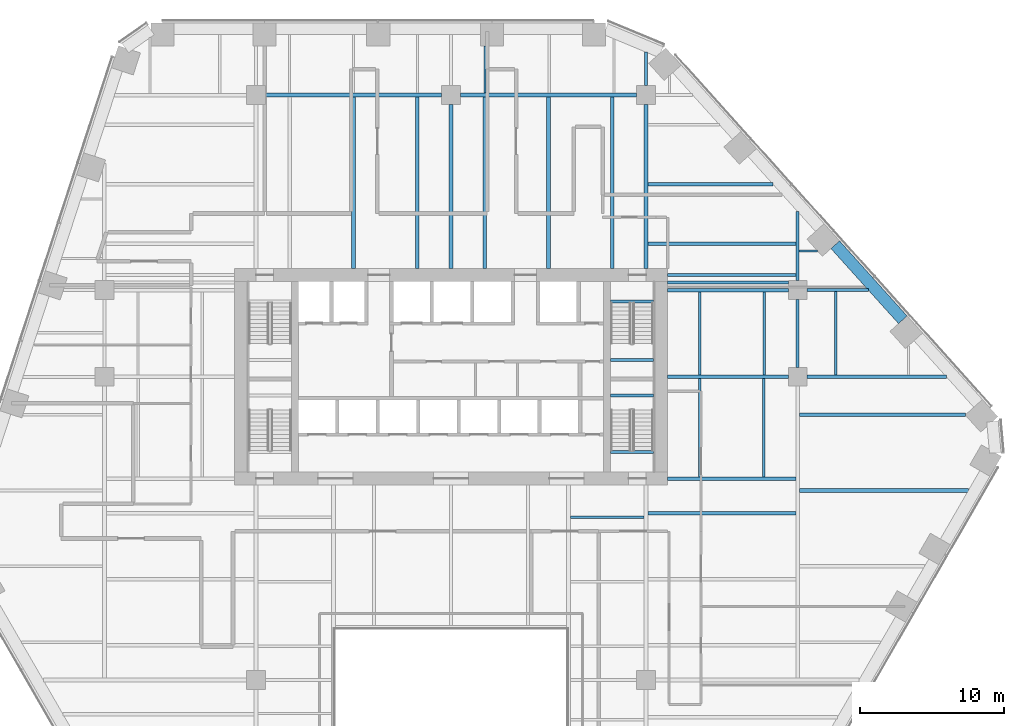
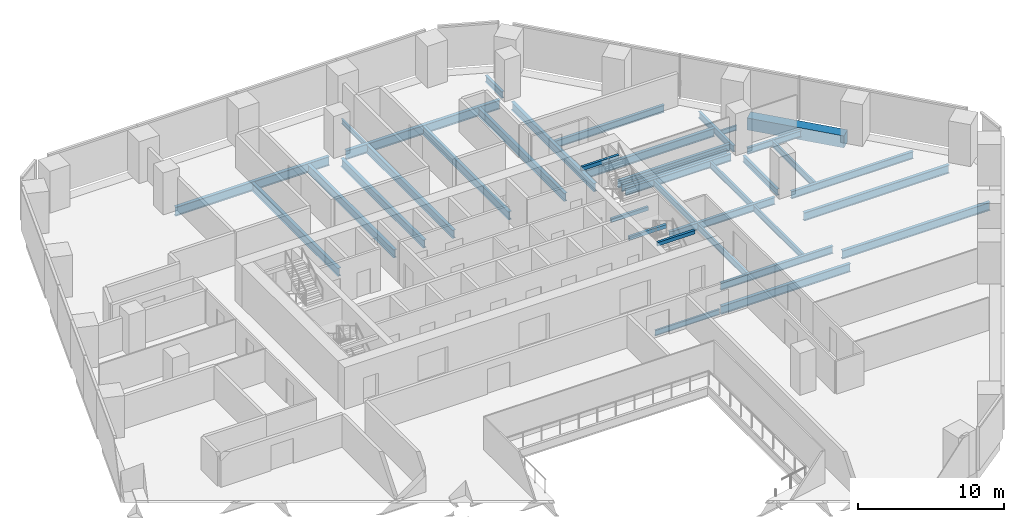
# One storey, part 9 of 21: 37 beams.
"""IFC4 building model written with IfcOpenShell, lengths in metres."""

from ifc_helpers import new_model, si_unit, direction, frame, origin, origin_2d, place, context, subcontext, project, spatial, rectangle, i_section, extrude, material, material_profile, profile_set, type_object, element, save


model = new_model("IFC4")

# Units and contexts
model_context = context("Model", 3, precision=1e-05, world=origin(), true_north=direction((0.0, 1.0)))
body_context = subcontext(model_context, "Body", "Model", "MODEL_VIEW")
ifc_project = project(units=[si_unit("LENGTHUNIT", "METRE"), si_unit("AREAUNIT", "SQUARE_METRE"), si_unit("VOLUMEUNIT", "CUBIC_METRE"), si_unit("PLANEANGLEUNIT", "RADIAN"), si_unit("MASSUNIT", "GRAM", prefix="KILO")], contexts=[model_context])

# Site, building, storey
site_placement = place(None, origin())
site = spatial("IfcSite", under=ifc_project, at=site_placement, CompositionType="ELEMENT")
building_placement = place(site_placement, origin())
building = spatial("IfcBuilding", under=site, at=building_placement, Name="Isthmus Gate Tower", CompositionType="ELEMENT")
storey_placement = place(building_placement, frame((0.0, 0.0, 106.199951171875)))
storey = spatial("IfcBuildingStorey", under=building, at=storey_placement, Name="L25", CompositionType="ELEMENT", Elevation=106.199951171875)

# Beams
ifc_material_1 = material(Name="Concrete f'c 70 MPa", Category="concrete")
ifc_material_profile_1 = material_profile(ifc_material_1, rectangle(XDim=0.800048828125, YDim=1.0, at=origin_2d()), Name="RC 800X1000")
ifc_profile_set_1 = profile_set([ifc_material_profile_1], Name="Concrete f'c 70 MPa")
beam_type_1 = type_object("IfcBeamType", Name="RC SPANDREL 800 X 1000", PredefinedType="SPANDREL", material=ifc_profile_set_1)
beam_1_placement = place(storey_placement, frame((26.597900390625, 16.640380859375, -0.5), z_axis=(0.669128753615, -0.743146493691, 0.0), x_axis=(0.743146493691, 0.669128753615, 0.0)))
element("IfcBeam", 1, at=beam_1_placement, inside=storey, type_object=beam_type_1, Name="str-spandrel-L25-03", PredefinedType="SPANDREL", context=body_context, shape_type="SweptSolid", body=[
    extrude(rectangle(XDim=0.800048828125, YDim=1.0, at=origin_2d()), origin(), (0.0, 0.0, 1.0), 6.9892578125),
])
ifc_material_2 = material(Name="Concrete f'c 40 MPa", Category="concrete")
ifc_material_profile_2 = material_profile(ifc_material_2, rectangle(XDim=0.199951171875, YDim=0.300048828125, at=origin_2d()), Name="STAIR LANDING BEAM RC 200 X 300")
ifc_profile_set_2 = profile_set([ifc_material_profile_2], Name="Concrete f'c 40 MPa")
beam_type_2 = type_object("IfcBeamType", Name="STAIR LANDING BEAM RC 200 X 300", PredefinedType="BEAM", material=ifc_profile_set_2)
for number, where, z_axis, x_axis, name in (
    (2, (11.050048828125, 8.64990234375, 1.47509765625), (1.0, 0.0, 0.0), (0.0, 1.0, 0.0), "L25 ST2 landing beam 1"),
    (3, (11.050048828125, 12.7001953125, 3.35009765625), (1.0, 0.0, 0.0), (0.0, 1.0, 0.0), "L25 ST2 floor-edge seat beam"),
    (4, (11.050048828125, 6.199951171875, 1.47509765625), (1.0, 0.0, 0.0), (0.0, 1.0, 0.0), "L25 ST8 landing beam 1"),
    (5, (11.050048828125, 2.2998046875, 3.35009765625), (1.0, 0.0, 0.0), (0.0, 1.0, 0.0), "L25 ST8 floor-edge seat beam"),
):
    element("IfcBeam", number, at=place(storey_placement, frame(where, z_axis=z_axis, x_axis=x_axis)), inside=storey, type_object=beam_type_2, Name=name, PredefinedType="BEAM", context=body_context, shape_type="SweptSolid", body=[
        extrude(rectangle(XDim=0.199951171875, YDim=0.300048828125, at=origin_2d()), origin(), (0.0, 0.0, 1.0), 2.949951171875),
    ])
ifc_material_3 = material(Name="Structural steel ASTM A992 Gr 50", Category="steel")
ifc_material_profile_3 = material_profile(ifc_material_3, i_section(OverallWidth=0.1396484375, OverallDepth=0.4033203125, WebThickness=0.00634765625, FlangeThickness=0.010986328125, at=origin_2d()), Name="W16X31")
ifc_profile_set_3 = profile_set([ifc_material_profile_3], Name="Structural steel ASTM A992 Gr 50")
beam_type_3 = type_object("IfcBeamType", Name="STEEL FLOOR BEAM W16X31", PredefinedType="JOIST", material=ifc_profile_set_3)
beam_2_placement = place(storey_placement, frame((2.33740234375, 27.1318359375, -0.3515625), z_axis=(0.0, 1.0, 0.0), x_axis=(-1.0, 0.0, 0.0)))
element("IfcBeam", 6, at=beam_2_placement, inside=storey, type_object=beam_type_3, Name="str-beam-L25-20-00", PredefinedType="JOIST", context=body_context, shape_type="SweptSolid", body=[
    extrude(i_section(OverallWidth=0.1396484375, OverallDepth=0.4033203125, WebThickness=0.00634765625, FlangeThickness=0.010986328125, at=origin_2d()), origin(), (0.0, 0.0, 1.0), 3.26806640625),
])
beam_3_placement = place(storey_placement, frame((24.104736328125, 16.208251953125, -0.3515625), z_axis=(1.0, 0.0, 0.0), x_axis=(0.0, 1.0, 0.0)))
element("IfcBeam", 7, at=beam_3_placement, inside=storey, type_object=beam_type_3, Name="str-beam-L25-32-00", PredefinedType="JOIST", context=body_context, shape_type="SweptSolid", body=[
    extrude(i_section(OverallWidth=0.1396484375, OverallDepth=0.4033203125, WebThickness=0.00634765625, FlangeThickness=0.010986328125, at=origin_2d()), origin(), (0.0, 0.0, 1.0), 1.267578125),
])
ifc_material_4 = material(Name="Structural steel ASTM A992 Gr 50", Category="steel")
ifc_material_profile_4 = material_profile(ifc_material_4, i_section(OverallWidth=0.15234375, OverallDepth=0.45068359375, WebThickness=0.0078125, FlangeThickness=0.010986328125, at=origin_2d()), Name="W18X35")
ifc_profile_set_4 = profile_set([ifc_material_profile_4], Name="Structural steel ASTM A992 Gr 50")
beam_type_4 = type_object("IfcBeamType", Name="STEEL FLOOR BEAM W18X35", PredefinedType="JOIST", material=ifc_profile_set_4)
beam_4_placement = place(storey_placement, frame((8.263427734375, -2.232421875, -0.375244140625), z_axis=(1.0, 0.0, 0.0), x_axis=(0.0, 1.0, 0.0)))
element("IfcBeam", 8, at=beam_4_placement, inside=storey, type_object=beam_type_4, Name="str-beam-L25-24-02", PredefinedType="JOIST", context=body_context, shape_type="SweptSolid", body=[
    extrude(i_section(OverallWidth=0.15234375, OverallDepth=0.45068359375, WebThickness=0.0078125, FlangeThickness=0.010986328125, at=origin_2d()), origin(), (0.0, 0.0, 1.0), 5.104736328125),
])
ifc_material_5 = material(Name="Structural steel ASTM A992 Gr 50", Category="steel")
ifc_material_profile_5 = material_profile(ifc_material_5, i_section(OverallWidth=0.1650390625, OverallDepth=0.52392578125, WebThickness=0.009521484375, FlangeThickness=0.010986328125, at=origin_2d()), Name="W21X44")
ifc_profile_set_5 = profile_set([ifc_material_profile_5], Name="Structural steel ASTM A992 Gr 50")
beam_type_5 = type_object("IfcBeamType", Name="STEEL FLOOR BEAM W21X44", PredefinedType="JOIST", material=ifc_profile_set_5)
for number, where, z_axis, x_axis, name in (
    (9, (17.223876953125, 7.6142578125, -0.411865234375), (0.0, 1.0, 0.0), (-1.0, 0.0, 0.0), "str-beam-L25-30-00"),
    (10, (21.67138671875, 7.6142578125, -0.411865234375), (0.0, 1.0, 0.0), (-1.0, 0.0, 0.0), "str-beam-L25-30-01"),
):
    element("IfcBeam", number, at=place(storey_placement, frame(where, z_axis=z_axis, x_axis=x_axis)), inside=storey, type_object=beam_type_5, Name=name, PredefinedType="JOIST", context=body_context, shape_type="SweptSolid", body=[
        extrude(i_section(OverallWidth=0.1650390625, OverallDepth=0.52392578125, WebThickness=0.009521484375, FlangeThickness=0.010986328125, at=origin_2d()), origin(), (0.0, 0.0, 1.0), 5.771484375),
    ])
for number, where, z_axis, x_axis, name in (
    (11, (17.216552734375, 0.564208984375, -0.411865234375), (0.0, 1.0, 0.0), (-1.0, 0.0, 0.0), "str-beam-L25-31-00"),
    (12, (21.64990234375, 0.564208984375, -0.411865234375), (0.0, 1.0, 0.0), (-1.0, 0.0, 0.0), "str-beam-L25-31-01"),
):
    element("IfcBeam", number, at=place(storey_placement, frame(where, z_axis=z_axis, x_axis=x_axis)), inside=storey, type_object=beam_type_5, Name=name, PredefinedType="JOIST", context=body_context, shape_type="SweptSolid", body=[
        extrude(i_section(OverallWidth=0.1650390625, OverallDepth=0.52392578125, WebThickness=0.009521484375, FlangeThickness=0.010986328125, at=origin_2d()), origin(), (0.0, 0.0, 1.0), 6.821533203125),
    ])
beam_5_placement = place(storey_placement, frame((26.625244140625, 7.6142578125, -0.411865234375), z_axis=(0.0, 1.0, 0.0), x_axis=(-1.0, 0.0, 0.0)))
element("IfcBeam", 13, at=beam_5_placement, inside=storey, type_object=beam_type_5, Name="str-beam-L25-33-00", PredefinedType="JOIST", context=body_context, shape_type="SweptSolid", body=[
    extrude(i_section(OverallWidth=0.1650390625, OverallDepth=0.52392578125, WebThickness=0.009521484375, FlangeThickness=0.010986328125, at=origin_2d()), origin(), (0.0, 0.0, 1.0), 5.781005859375),
])
ifc_material_6 = material(Name="Structural steel ASTM A992 Gr 50", Category="steel")
ifc_material_profile_6 = material_profile(ifc_material_6, i_section(OverallWidth=0.177734375, OverallDepth=0.60009765625, WebThickness=0.009521484375, FlangeThickness=0.0126953125, at=origin_2d()), Name="W24X55")
ifc_profile_set_6 = profile_set([ifc_material_profile_6], Name="Structural steel ASTM A992 Gr 50")
beam_type_6 = type_object("IfcBeamType", Name="STEEL FLOOR BEAM W24X55", PredefinedType="JOIST", material=ifc_profile_set_6)
beam_6_placement = place(storey_placement, frame((15.0, 14.02490234375, -0.449951171875), z_axis=(1.0, 0.0, 0.0), x_axis=(0.0, 1.0, 0.0)))
element("IfcBeam", 14, at=beam_6_placement, inside=storey, type_object=beam_type_6, Name="str-beam-L25-29-00", PredefinedType="JOIST", context=body_context, shape_type="SweptSolid", body=[
    extrude(i_section(OverallWidth=0.177734375, OverallDepth=0.60009765625, WebThickness=0.009521484375, FlangeThickness=0.0126953125, at=origin_2d()), origin(), (0.0, 0.0, 1.0), 8.35009765625),
])
ifc_material_7 = material(Name="Structural steel ASTM A992 Gr 50", Category="steel")
ifc_material_profile_7 = material_profile(ifc_material_7, i_section(OverallWidth=0.228515625, OverallDepth=0.603271484375, WebThickness=0.010986328125, FlangeThickness=0.014404296875, at=origin_2d()), Name="W24X68")
ifc_profile_set_7 = profile_set([ifc_material_profile_7], Name="Structural steel ASTM A992 Gr 50")
beam_type_7 = type_object("IfcBeamType", Name="STEEL FLOOR BEAM W24X68", PredefinedType="JOIST", material=ifc_profile_set_7)
beam_7_placement = place(storey_placement, frame((13.626953125, 20.83203125, -0.45166015625), z_axis=(1.0, 0.0, 0.0), x_axis=(0.0, 1.0, 0.0)))
element("IfcBeam", 15, at=beam_7_placement, inside=storey, type_object=beam_type_7, Name="str-beam-L25-26-01", PredefinedType="JOIST", context=body_context, shape_type="SweptSolid", body=[
    extrude(i_section(OverallWidth=0.228515625, OverallDepth=0.603271484375, WebThickness=0.010986328125, FlangeThickness=0.014404296875, at=origin_2d()), origin(), (0.0, 0.0, 1.0), 8.658447265625),
])
ifc_material_8 = material(Name="Structural steel ASTM A992 Gr 50", Category="steel")
ifc_material_profile_8 = material_profile(ifc_material_8, i_section(OverallWidth=0.25390625, OverallDepth=0.679443359375, WebThickness=0.010986328125, FlangeThickness=0.015869140625, at=origin_2d()), Name="W27X84")
ifc_profile_set_8 = profile_set([ifc_material_profile_8], Name="Structural steel ASTM A992 Gr 50")
beam_type_8 = type_object("IfcBeamType", Name="STEEL FLOOR BEAM W27X84", PredefinedType="JOIST", material=ifc_profile_set_8)
for number, where, z_axis, x_axis, name in (
    (16, (-6.75, 15.0, -0.48974609375), (0.0, 1.0, 0.0), (-1.0, 0.0, 0.0), "str-beam-L25-14-01"),
    (17, (-2.334716796875, 15.0, -0.48974609375), (0.0, 1.0, 0.0), (-1.0, 0.0, 0.0), "str-beam-L25-14-02"),
    (18, (2.334716796875, 15.0, -0.48974609375), (0.0, 1.0, 0.0), (-1.0, 0.0, 0.0), "str-beam-L25-21-00"),
    (19, (6.75, 15.0, -0.48974609375), (0.0, 1.0, 0.0), (-1.0, 0.0, 0.0), "str-beam-L25-21-01"),
    (20, (11.165283203125, 15.0, -0.48974609375), (0.0, 1.0, 0.0), (-1.0, 0.0, 0.0), "str-beam-L25-21-02"),
):
    element("IfcBeam", number, at=place(storey_placement, frame(where, z_axis=z_axis, x_axis=x_axis)), inside=storey, type_object=beam_type_8, Name=name, PredefinedType="JOIST", context=body_context, shape_type="SweptSolid", body=[
        extrude(i_section(OverallWidth=0.25390625, OverallDepth=0.679443359375, WebThickness=0.010986328125, FlangeThickness=0.015869140625, at=origin_2d()), origin(), (0.0, 0.0, 1.0), 11.8681640625),
    ])
beam_8_placement = place(storey_placement, frame((13.626953125, 16.72021484375, -0.48974609375), z_axis=(1.0, 0.0, 0.0), x_axis=(0.0, 1.0, 0.0)))
element("IfcBeam", 21, at=beam_8_placement, inside=storey, type_object=beam_type_8, Name="str-beam-L25-26-00", PredefinedType="JOIST", context=body_context, shape_type="SweptSolid", body=[
    extrude(i_section(OverallWidth=0.25390625, OverallDepth=0.679443359375, WebThickness=0.010986328125, FlangeThickness=0.015869140625, at=origin_2d()), origin(), (0.0, 0.0, 1.0), 10.268310546875),
])
beam_9_placement = place(storey_placement, frame((13.6318359375, -1.947998046875, -0.48974609375), z_axis=(1.0, 0.0, 0.0), x_axis=(0.0, 1.0, 0.0)))
element("IfcBeam", 22, at=beam_9_placement, inside=storey, type_object=beam_type_8, Name="str-beam-L25-27-02", PredefinedType="JOIST", context=body_context, shape_type="SweptSolid", body=[
    extrude(i_section(OverallWidth=0.25390625, OverallDepth=0.679443359375, WebThickness=0.010986328125, FlangeThickness=0.015869140625, at=origin_2d()), origin(), (0.0, 0.0, 1.0), 10.23486328125),
])
beam_10_placement = place(storey_placement, frame((24.13330078125, -0.375, -0.48974609375), z_axis=(1.0, 0.0, 0.0), x_axis=(0.0, 1.0, 0.0)))
element("IfcBeam", 23, at=beam_10_placement, inside=storey, type_object=beam_type_8, Name="str-beam-L25-34-02", PredefinedType="JOIST", context=body_context, shape_type="SweptSolid", body=[
    extrude(i_section(OverallWidth=0.25390625, OverallDepth=0.679443359375, WebThickness=0.010986328125, FlangeThickness=0.015869140625, at=origin_2d()), origin(), (0.0, 0.0, 1.0), 11.6767578125),
])
beam_11_placement = place(storey_placement, frame((24.13330078125, 4.875, -0.48974609375), z_axis=(1.0, 0.0, 0.0), x_axis=(0.0, 1.0, 0.0)))
element("IfcBeam", 24, at=beam_11_placement, inside=storey, type_object=beam_type_8, Name="str-beam-L25-34-03", PredefinedType="JOIST", context=body_context, shape_type="SweptSolid", body=[
    extrude(i_section(OverallWidth=0.25390625, OverallDepth=0.679443359375, WebThickness=0.010986328125, FlangeThickness=0.015869140625, at=origin_2d()), origin(), (0.0, 0.0, 1.0), 11.484130859375),
])
ifc_material_9 = material(Name="Structural steel ASTM A992 Gr 50", Category="steel")
ifc_material_profile_9 = material_profile(ifc_material_9, i_section(OverallWidth=0.20947265625, OverallDepth=0.533447265625, WebThickness=0.009521484375, FlangeThickness=0.015869140625, at=origin_2d()), Name="W21X62")
ifc_profile_set_9 = profile_set([ifc_material_profile_9], Name="Structural steel ASTM A992 Gr 50")
beam_type_9 = type_object("IfcBeamType", Name="STEEL GIRDER W21X62", PredefinedType="BEAM", material=ifc_profile_set_9)
beam_12_placement = place(storey_placement, frame((24.64990234375, 13.5, -0.416748046875), z_axis=(1.0, 0.0, 0.0), x_axis=(0.0, 1.0, 0.0)))
element("IfcBeam", 25, at=beam_12_placement, inside=storey, type_object=beam_type_9, Name="str-girder-L25-16", PredefinedType="BEAM", context=body_context, shape_type="SweptSolid", body=[
    extrude(i_section(OverallWidth=0.20947265625, OverallDepth=0.533447265625, WebThickness=0.009521484375, FlangeThickness=0.015869140625, at=origin_2d()), origin(), (0.0, 0.0, 1.0), 4.2373046875),
])
beam_13_placement = place(storey_placement, frame((13.5, 27.64990234375, -0.416748046875), z_axis=(0.0, 1.0, 0.0), x_axis=(-1.0, 0.0, 0.0)))
element("IfcBeam", 26, at=beam_13_placement, inside=storey, type_object=beam_type_9, Name="str-girder-L25-35", PredefinedType="BEAM", context=body_context, shape_type="SweptSolid", body=[
    extrude(i_section(OverallWidth=0.20947265625, OverallDepth=0.533447265625, WebThickness=0.009521484375, FlangeThickness=0.015869140625, at=origin_2d()), origin(), (0.0, 0.0, 1.0), 2.320068359375),
])
beam_14_placement = place(storey_placement, frame((24.0, 8.14990234375, -0.416748046875), z_axis=(0.0, 1.0, 0.0), x_axis=(-1.0, 0.0, 0.0)))
element("IfcBeam", 27, at=beam_14_placement, inside=storey, type_object=beam_type_9, Name="str-girder-L25-37", PredefinedType="BEAM", context=body_context, shape_type="SweptSolid", body=[
    extrude(i_section(OverallWidth=0.20947265625, OverallDepth=0.533447265625, WebThickness=0.009521484375, FlangeThickness=0.015869140625, at=origin_2d()), origin(), (0.0, 0.0, 1.0), 4.7001953125),
])
beam_15_placement = place(storey_placement, frame((24.0, 14.14990234375, -0.416748046875), z_axis=(0.0, 1.0, 0.0), x_axis=(-1.0, 0.0, 0.0)))
element("IfcBeam", 28, at=beam_15_placement, inside=storey, type_object=beam_type_9, Name="str-girder-L25-38", PredefinedType="BEAM", context=body_context, shape_type="SweptSolid", body=[
    extrude(i_section(OverallWidth=0.20947265625, OverallDepth=0.533447265625, WebThickness=0.009521484375, FlangeThickness=0.015869140625, at=origin_2d()), origin(), (0.0, 0.0, 1.0), 4.778076171875),
])
ifc_material_10 = material(Name="Structural steel ASTM A992 Gr 50", Category="steel")
ifc_material_profile_10 = material_profile(ifc_material_10, i_section(OverallWidth=0.228515625, OverallDepth=0.6064453125, WebThickness=0.010986328125, FlangeThickness=0.017578125, at=origin_2d()), Name="W24X76")
ifc_profile_set_10 = profile_set([ifc_material_profile_10], Name="Structural steel ASTM A992 Gr 50")
beam_type_10 = type_object("IfcBeamType", Name="STEEL GIRDER W24X76", PredefinedType="BEAM", material=ifc_profile_set_10)
beam_16_placement = place(storey_placement, frame((15.0, 7.5, -0.453125), z_axis=(1.0, 0.0, 0.0), x_axis=(0.0, 1.0, 0.0)))
element("IfcBeam", 29, at=beam_16_placement, inside=storey, type_object=beam_type_10, Name="str-girder-L25-11", PredefinedType="BEAM", context=body_context, shape_type="SweptSolid", body=[
    extrude(i_section(OverallWidth=0.228515625, OverallDepth=0.6064453125, WebThickness=0.010986328125, FlangeThickness=0.017578125, at=origin_2d()), origin(), (0.0, 0.0, 1.0), 8.35009765625),
])
beam_17_placement = place(storey_placement, frame((24.64990234375, 7.5, -0.453125), z_axis=(1.0, 0.0, 0.0), x_axis=(0.0, 1.0, 0.0)))
element("IfcBeam", 30, at=beam_17_placement, inside=storey, type_object=beam_type_10, Name="str-girder-L25-12", PredefinedType="BEAM", context=body_context, shape_type="SweptSolid", body=[
    extrude(i_section(OverallWidth=0.228515625, OverallDepth=0.6064453125, WebThickness=0.010986328125, FlangeThickness=0.017578125, at=origin_2d()), origin(), (0.0, 0.0, 1.0), 9.639892578125),
])
beam_18_placement = place(storey_placement, frame((15.0, 13.5, -0.453125), z_axis=(1.0, 0.0, 0.0), x_axis=(0.0, 1.0, 0.0)))
element("IfcBeam", 31, at=beam_18_placement, inside=storey, type_object=beam_type_10, Name="str-girder-L25-15", PredefinedType="BEAM", context=body_context, shape_type="SweptSolid", body=[
    extrude(i_section(OverallWidth=0.228515625, OverallDepth=0.6064453125, WebThickness=0.010986328125, FlangeThickness=0.017578125, at=origin_2d()), origin(), (0.0, 0.0, 1.0), 8.35009765625),
])
beam_19_placement = place(storey_placement, frame((15.0, 0.449951171875, -0.453125), z_axis=(1.0, 0.0, 0.0), x_axis=(0.0, 1.0, 0.0)))
element("IfcBeam", 32, at=beam_19_placement, inside=storey, type_object=beam_type_10, Name="str-girder-L25-40", PredefinedType="BEAM", context=body_context, shape_type="SweptSolid", body=[
    extrude(i_section(OverallWidth=0.228515625, OverallDepth=0.6064453125, WebThickness=0.010986328125, FlangeThickness=0.017578125, at=origin_2d()), origin(), (0.0, 0.0, 1.0), 8.86669921875),
])
beam_20_placement = place(storey_placement, frame((15.0, 14.550048828125, -0.453125), z_axis=(1.0, 0.0, 0.0), x_axis=(0.0, 1.0, 0.0)))
element("IfcBeam", 33, at=beam_20_placement, inside=storey, type_object=beam_type_10, Name="str-girder-L25-42", PredefinedType="BEAM", context=body_context, shape_type="SweptSolid", body=[
    extrude(i_section(OverallWidth=0.228515625, OverallDepth=0.6064453125, WebThickness=0.010986328125, FlangeThickness=0.017578125, at=origin_2d()), origin(), (0.0, 0.0, 1.0), 8.895263671875),
])
ifc_material_11 = material(Name="Structural steel ASTM A992 Gr 50", Category="steel")
ifc_material_profile_11 = material_profile(ifc_material_11, i_section(OverallWidth=0.25390625, OverallDepth=0.679443359375, WebThickness=0.010986328125, FlangeThickness=0.015869140625, at=origin_2d()), Name="W27X84")
ifc_profile_set_11 = profile_set([ifc_material_profile_11], Name="Structural steel ASTM A992 Gr 50")
beam_type_11 = type_object("IfcBeamType", Name="STEEL GIRDER W27X84", PredefinedType="BEAM", material=ifc_profile_set_11)
for number, where, z_axis, x_axis, name in (
    (34, (0.0, 15.0, -0.48974609375), (0.0, 1.0, 0.0), (-1.0, 0.0, 0.0), "str-girder-L25-30"),
    (35, (13.5, 15.0, -0.48974609375), (0.0, 1.0, 0.0), (-1.0, 0.0, 0.0), "str-girder-L25-34"),
):
    element("IfcBeam", number, at=place(storey_placement, frame(where, z_axis=z_axis, x_axis=x_axis)), inside=storey, type_object=beam_type_11, Name=name, PredefinedType="BEAM", context=body_context, shape_type="SweptSolid", body=[
        extrude(i_section(OverallWidth=0.25390625, OverallDepth=0.679443359375, WebThickness=0.010986328125, FlangeThickness=0.015869140625, at=origin_2d()), origin(), (0.0, 0.0, 1.0), 11.35009765625),
    ])
ifc_material_12 = material(Name="Structural steel ASTM A992 Gr 50", Category="steel")
ifc_material_profile_12 = material_profile(ifc_material_12, i_section(OverallWidth=0.263427734375, OverallDepth=0.749267578125, WebThickness=0.0126953125, FlangeThickness=0.015869140625, at=origin_2d()), Name="W30X90")
ifc_profile_set_12 = profile_set([ifc_material_profile_12], Name="Structural steel ASTM A992 Gr 50")
beam_type_12 = type_object("IfcBeamType", Name="STEEL GIRDER W30X90", PredefinedType="BEAM", material=ifc_profile_set_12)
for number, where, z_axis, x_axis, name in (
    (36, (-12.85009765625, 27.0, -0.524658203125), (1.0, 0.0, 0.0), (0.0, 1.0, 0.0), "str-girder-L25-18"),
    (37, (0.64990234375, 27.0, -0.524658203125), (1.0, 0.0, 0.0), (0.0, 1.0, 0.0), "str-girder-L25-19"),
):
    element("IfcBeam", number, at=place(storey_placement, frame(where, z_axis=z_axis, x_axis=x_axis)), inside=storey, type_object=beam_type_12, Name=name, PredefinedType="BEAM", context=body_context, shape_type="SweptSolid", body=[
        extrude(i_section(OverallWidth=0.263427734375, OverallDepth=0.749267578125, WebThickness=0.0126953125, FlangeThickness=0.015869140625, at=origin_2d()), origin(), (0.0, 0.0, 1.0), 12.2001953125),
    ])

save(model, "model.ifc")
